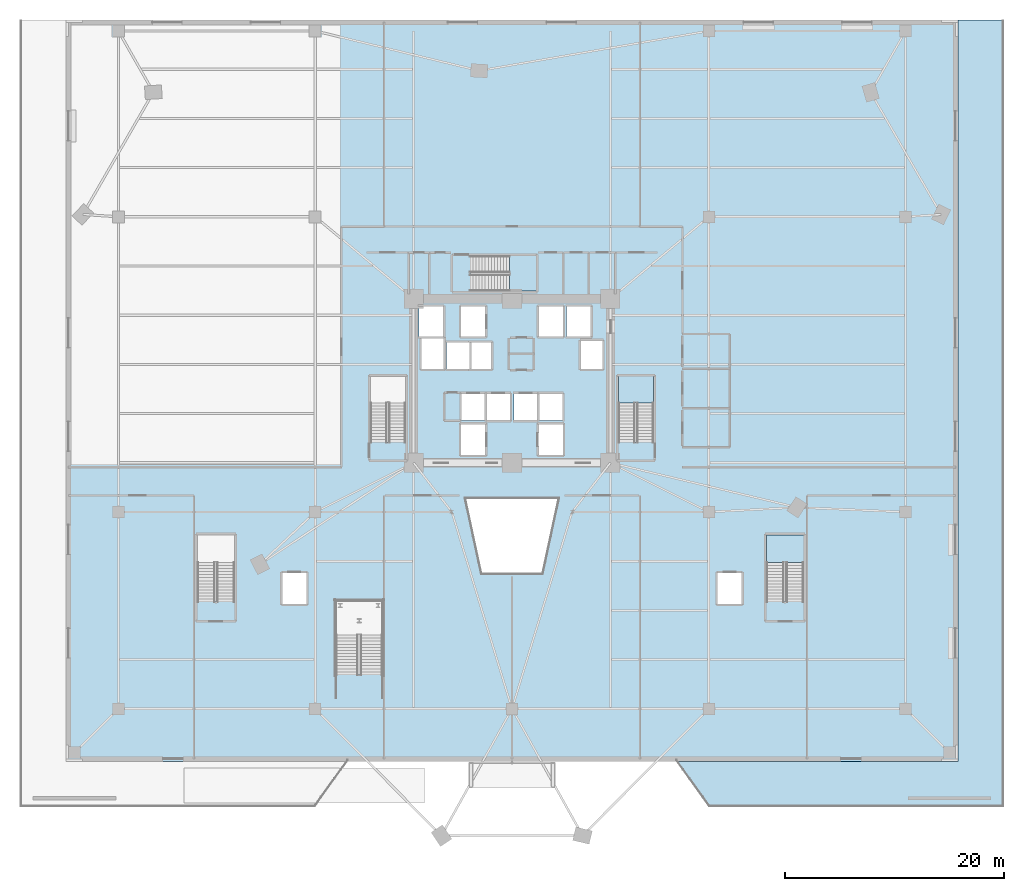
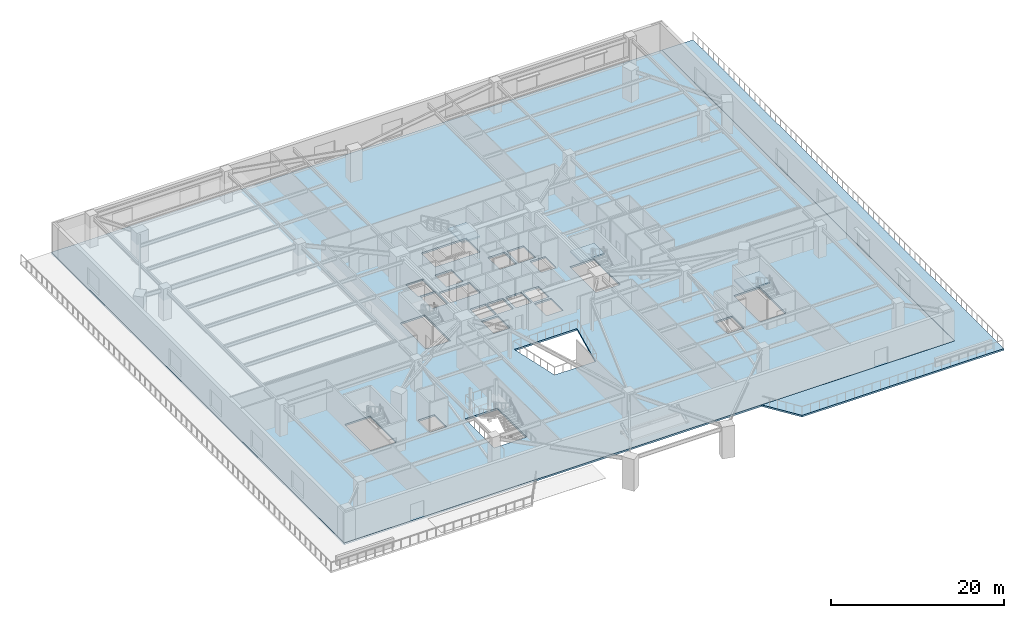
# One storey, part 5 of 19: 5 slabs, 3 elements without a shape of their own.
"""IFC4 building model written with IfcOpenShell, lengths in metres."""

import ifcopenshell
import ifcopenshell.guid

model = None  # the IFC model being written
_history = None  # IfcOwnerHistory: only IFC2X3 demands one
_inside = {}  # id of a spatial element -> (the spatial element, [elements in it])
_under = {}  # id of a project, library or spatial element -> (it, [spatial elements below it])
_declared = {}  # id of a project -> (the project, [libraries it declares])
_typed = {}  # id of a type object -> (the type object, [elements of that type])
_made_of = {}  # id of a material, layer set ... -> (it, [elements and type objects made of it])


def new_model(schema):
    """Start an empty IFC model of exactly this schema.

    Asked for "IFC4X3", IfcOpenShell would pick the latest addendum, in which some entities
    have other attributes; the version numbers below select the first issue.
    IFC2X3 requires an IfcOwnerHistory on every rooted entity: one is made here for all.
    """
    global model, _history
    if schema == "IFC4X3":
        model = ifcopenshell.file(schema_version=(4, 3, 0, 0))
    else:
        model = ifcopenshell.file(schema=schema)
    _inside.clear()
    _under.clear()
    _declared.clear()
    _typed.clear()
    _made_of.clear()
    _history = None
    if model.schema == "IFC2X3":
        org = make("IfcOrganization", Name="unknown")
        user = make(
            "IfcPersonAndOrganization",
            ThePerson=make("IfcPerson", FamilyName="unknown"),
            TheOrganization=org,
        )
        app = make(
            "IfcApplication",
            ApplicationDeveloper=org,
            Version="unknown",
            ApplicationFullName="unknown",
            ApplicationIdentifier="unknown",
        )
        _history = make(
            "IfcOwnerHistory",
            OwningUser=user,
            OwningApplication=app,
            ChangeAction="ADDED",
            CreationDate=0,
        )
    return model


def make(cls, **values):
    """One entity of the class cls with the attributes given. An attribute that is None is left unset."""
    return model.create_entity(
        cls, **{name: value for name, value in values.items() if value is not None}
    )


def rooted(cls, **values):
    """An entity with a GlobalId (a new one), such as an element, a storey or a relation."""
    return make(cls, GlobalId=ifcopenshell.guid.new(), OwnerHistory=_history, **values)


def si_unit(unit_type, name, prefix=None):
    """IfcSIUnit, for example si_unit("LENGTHUNIT", "METRE", prefix="MILLI")."""
    return make("IfcSIUnit", UnitType=unit_type, Prefix=prefix, Name=name)


def assignment(units):
    """IfcUnitAssignment: the units of a project."""
    return None if units is None else make("IfcUnitAssignment", Units=units)


def point(xyz):
    """IfcCartesianPoint."""
    return None if xyz is None else make("IfcCartesianPoint", Coordinates=xyz)


def direction(xyz):
    """IfcDirection."""
    return None if xyz is None else make("IfcDirection", DirectionRatios=xyz)


def frame(location, z_axis=None, x_axis=None):
    """IfcAxis2Placement3D, a coordinate frame: its origin and axes. An axis left out is left unset."""
    return make(
        "IfcAxis2Placement3D",
        Location=point(location),
        Axis=direction(z_axis),
        RefDirection=direction(x_axis),
    )


def origin():
    """The frame at (0, 0, 0) with its axes left unset."""
    return frame((0.0, 0.0, 0.0))


def place(relative_to, where):
    """IfcLocalPlacement: puts the frame where relative to a parent placement (None: the world)."""
    return make(
        "IfcLocalPlacement", PlacementRelTo=relative_to, RelativePlacement=where
    )


def context(
    kind, dimensions, precision=None, world=None, true_north=None, identifier=None
):
    """IfcGeometricRepresentationContext, for example the 3D "Model" context."""
    return make(
        "IfcGeometricRepresentationContext",
        ContextIdentifier=identifier,
        ContextType=kind,
        CoordinateSpaceDimension=dimensions,
        Precision=precision,
        WorldCoordinateSystem=world,
        TrueNorth=true_north,
    )


def subcontext(parent, identifier, kind, view, scale=None):
    """IfcGeometricRepresentationSubContext, for example "Body" below "Model"."""
    return make(
        "IfcGeometricRepresentationSubContext",
        ContextIdentifier=identifier,
        ContextType=kind,
        ParentContext=parent,
        TargetScale=scale,
        TargetView=view,
    )


def project(units=None, contexts=None):
    """IfcProject with its units and contexts."""
    return rooted(
        "IfcProject",
        Name="project",
        RepresentationContexts=contexts,
        UnitsInContext=assignment(units),
    )


def spatial(cls, under=None, at=None, **own):
    """A site, building, storey or space (cls), placed at a placement, below another one or the project."""
    s = rooted(cls, ObjectPlacement=at, **own)
    if under is not None:
        _under.setdefault(under.id(), (under, []))[1].append(s)
    return s


def polyline(points):
    """IfcPolyline through the points."""
    return make("IfcPolyline", Points=[point(p) for p in points])


def outline(outer, holes=None, kind="AREA"):
    """IfcArbitraryClosedProfileDef: a profile drawn as a closed curve; with holes, ...WithVoids."""
    if holes is None:
        return make("IfcArbitraryClosedProfileDef", ProfileType=kind, OuterCurve=outer)
    return make(
        "IfcArbitraryProfileDefWithVoids",
        ProfileType=kind,
        OuterCurve=outer,
        InnerCurves=holes,
    )


def extrude(swept, where, along, depth):
    """IfcExtrudedAreaSolid: the profile swept, set in the frame where, extruded along a direction by depth."""
    return make(
        "IfcExtrudedAreaSolid",
        SweptArea=swept,
        Position=where,
        ExtrudedDirection=direction(along),
        Depth=depth,
    )


def shape(context_of_items, identifier, shape_type, items):
    """IfcShapeRepresentation: the items that make up one representation, for example the "Body"."""
    return make(
        "IfcShapeRepresentation",
        ContextOfItems=context_of_items,
        RepresentationIdentifier=identifier,
        RepresentationType=shape_type,
        Items=items,
    )


def material(Name=None, Category=None):
    """IfcMaterial."""
    return make("IfcMaterial", Name=Name, Category=Category)


def layer(
    of_material, thickness, ventilated=None, Name=None, Category=None, Priority=None
):
    """IfcMaterialLayer: one layer of a wall or slab, of a material (None: an air gap)."""
    return make(
        "IfcMaterialLayer",
        Material=of_material,
        LayerThickness=thickness,
        IsVentilated=ventilated,
        Name=Name,
        Category=Category,
        Priority=Priority,
    )


def layer_set(layers, Name=None):
    """IfcMaterialLayerSet."""
    return make("IfcMaterialLayerSet", MaterialLayers=layers, LayerSetName=Name)


def made_of(thing, what):
    """Note that an element or type object is made of a material, layer set ...; save() writes the relation."""
    if what is not None:
        _made_of.setdefault(what.id(), (what, []))[1].append(thing)
    return thing


def type_object(cls, material=None, **own):
    """A type object (cls), such as IfcWallType, which elements share."""
    return made_of(rooted(cls, **own), material)


def element(
    cls,
    number,
    at=None,
    inside=None,
    cuts=None,
    type_object=None,
    material=None,
    context=None,
    identifier="Body",
    shape_type=None,
    held_by="IfcProductDefinitionShape",
    body=None,
    shapes=None,
    **own,
):
    """One element of the class cls, such as IfcWall. Its Tag is "e" and its number.

    at: its placement. inside: the storey or other place that contains it. cuts: it is an
    opening in that element (IfcRelVoidsElement). A single representation is given by context,
    identifier, shape_type and body (its items); several are given by shapes. held_by: the class
    of the entity that holds the representations. save() writes the other relations.
    """
    e = rooted(cls, Tag="e%d" % number, ObjectPlacement=at, **own)
    if body is not None:
        shapes = [shape(context, identifier, shape_type, body)]
    if shapes is not None:
        e.Representation = make(held_by, Representations=shapes)
    if inside is not None:
        _inside.setdefault(inside.id(), (inside, []))[1].append(e)
    if cuts is not None:
        rooted(
            "IfcRelVoidsElement", RelatingBuildingElement=cuts, RelatedOpeningElement=e
        )
    if type_object is not None:
        _typed.setdefault(type_object.id(), (type_object, []))[1].append(e)
    return made_of(e, material)


def aggregate(whole, parts):
    """IfcRelAggregates: a whole, such as a stair, and the parts it consists of."""
    return rooted("IfcRelAggregates", RelatingObject=whole, RelatedObjects=parts)


def save(model, path):
    """Write the relations noted so far, then the file.

    IfcRelAggregates (storeys below a building ...), IfcRelContainedInSpatialStructure (elements
    in a storey), IfcRelDefinesByType, IfcRelAssociatesMaterial and IfcRelDeclares: one each for
    every whole, place, type object, material and project.
    """
    for whole, parts in _under.values():
        aggregate(whole, parts)
    for where, things in _inside.values():
        rooted(
            "IfcRelContainedInSpatialStructure",
            RelatedElements=things,
            RelatingStructure=where,
        )
    for kind, things in _typed.values():
        rooted("IfcRelDefinesByType", RelatedObjects=things, RelatingType=kind)
    for what, things in _made_of.values():
        rooted("IfcRelAssociatesMaterial", RelatedObjects=things, RelatingMaterial=what)
    for by, libraries in _declared.values():
        rooted("IfcRelDeclares", RelatingContext=by, RelatedDefinitions=libraries)
    model.write(path)


model = new_model("IFC4")

# Units and contexts
model_context = context("Model", 3, precision=1e-05, world=origin(), true_north=direction((0.0, 1.0)))
body_context = subcontext(model_context, "Body", "Model", "MODEL_VIEW")
ifc_project = project(units=[si_unit("LENGTHUNIT", "METRE"), si_unit("AREAUNIT", "SQUARE_METRE"), si_unit("VOLUMEUNIT", "CUBIC_METRE"), si_unit("PLANEANGLEUNIT", "RADIAN"), si_unit("MASSUNIT", "GRAM", prefix="KILO")], contexts=[model_context])

# Site, building, storey
site_placement = place(None, origin())
site = spatial("IfcSite", under=ifc_project, at=site_placement, CompositionType="ELEMENT")
building_placement = place(site_placement, origin())
building = spatial("IfcBuilding", under=site, at=building_placement, Name="Liaohun Quay Tower", CompositionType="ELEMENT")
storey_placement = place(building_placement, frame((0.0, 0.0, 9.89990234375)))
storey = spatial("IfcBuildingStorey", under=building, at=storey_placement, Name="L03", CompositionType="ELEMENT", Elevation=9.89990234375)

# Stair, slab
ifc_material_1 = material(Name="Concrete C45", Category="concrete")
stair_type_1 = type_object("IfcStairType", Name="STR-CORE-TALL", PredefinedType="HALF_TURN_STAIR", material=ifc_material_1)
stair_1_placement = place(storey_placement, origin())
stair_1 = element("IfcStair", 1, at=stair_1_placement, inside=storey, type_object=stair_type_1, Name="L03 Smokeproof Core Exit Stair ST-2", PredefinedType="HALF_TURN_STAIR")
ifc_layer_1 = layer(ifc_material_1, 0.199951171875, Name="Concrete C45", Category="concrete")
ifc_layer_set_1 = layer_set([ifc_layer_1], Name="Concrete C45")
slab_type_1 = type_object("IfcSlabType", Name="SLB-LND-200", PredefinedType="LANDING", material=ifc_layer_set_1)
slab_1_placement = place(storey_placement, frame((0.0, 0.0, 2.050048828125)))
slab_1 = element("IfcSlab", 2, at=slab_1_placement, type_object=slab_type_1, Name="ST-2 landing 1", PredefinedType="LANDING", context=body_context, shape_type="SweptSolid", body=[
    extrude(outline(polyline([(72.9599609375, 51.989990234375), (72.9599609375, 54.419921875), (69.719970703125, 54.419921875), (69.719970703125, 51.989990234375), (72.9599609375, 51.989990234375)])), origin(), (0.0, 0.0, 1.0), 0.199951171875),
])
aggregate(stair_1, [slab_1])

stair_2_placement = place(storey_placement, origin())
stair_2 = element("IfcStair", 3, at=stair_2_placement, inside=storey, type_object=stair_type_1, Name="L03 Smokeproof Core Exit Stair ST-3", PredefinedType="HALF_TURN_STAIR")
slab_2_placement = place(storey_placement, frame((0.0, 0.0, 2.050048828125)))
slab_2 = element("IfcSlab", 4, at=slab_2_placement, type_object=slab_type_1, Name="ST-3 landing 1", PredefinedType="LANDING", context=body_context, shape_type="SweptSolid", body=[
    extrude(outline(polyline([(59.7900390625, 62.199951171875), (62.219970703125, 62.199951171875), (62.219970703125, 65.43994140625), (59.7900390625, 65.43994140625), (59.7900390625, 62.199951171875)])), origin(), (0.0, 0.0, 1.0), 0.199951171875),
])
aggregate(stair_2, [slab_2])

stair_type_2 = type_object("IfcStairType", Name="STR-POD-EXIT", PredefinedType="TWO_STRAIGHT_RUN_STAIR", material=ifc_material_1)
stair_3_placement = place(storey_placement, origin())
stair_3 = element("IfcStair", 5, at=stair_3_placement, inside=storey, type_object=stair_type_2, Name="L03 Podium Smokeproof Exit Stair ST-P2", PredefinedType="TWO_STRAIGHT_RUN_STAIR")
slab_3_placement = place(storey_placement, frame((0.0, 0.0, 2.050048828125)))
slab_3 = element("IfcSlab", 6, at=slab_3_placement, type_object=slab_type_1, Name="ST-P2 landing 1", PredefinedType="LANDING", context=body_context, shape_type="SweptSolid", body=[
    extrude(outline(polyline([(86.699951171875, 37.389892578125), (86.699951171875, 39.89990234375), (83.260009765625, 39.89990234375), (83.260009765625, 37.389892578125), (86.699951171875, 37.389892578125)])), origin(), (0.0, 0.0, 1.0), 0.199951171875),
])
aggregate(stair_3, [slab_3])

# Slabs
ifc_layer_2 = layer(ifc_material_1, 0.25, Name="Concrete C45", Category="concrete")
ifc_layer_set_2 = layer_set([ifc_layer_2], Name="Concrete C45")
slab_type_2 = type_object("IfcSlabType", Name="SLB-POD-250", PredefinedType="FLOOR", material=ifc_layer_set_2)
slab_4_placement = place(storey_placement, frame((0.0, 0.0, -0.25)))
element("IfcSlab", 7, at=slab_4_placement, inside=storey, type_object=slab_type_2, Name="L03 Structural Floor Slab", PredefinedType="FLOOR", context=body_context, shape_type="SweptSolid", body=[
    extrude(outline(polyline([(19.199951171875, 19.199951171875), (100.800048828125, 19.199951171875), (100.800048828125, 87.0), (19.199951171875, 87.0), (19.199951171875, 19.199951171875)]), holes=[polyline([(48.199951171875, 33.89990234375), (43.860107421875, 33.89990234375), (43.860107421875, 27.159912109375), (48.199951171875, 27.159912109375), (48.199951171875, 33.89990234375)]), polyline([(41.2099609375, 33.590087890625), (41.2099609375, 36.409912109375), (38.989990234375, 36.409912109375), (38.989990234375, 33.590087890625), (41.2099609375, 33.590087890625)]), polyline([(34.639892578125, 39.89990234375), (31.199951171875, 39.89990234375), (31.199951171875, 33.81005859375), (34.639892578125, 33.81005859375), (34.639892578125, 39.89990234375)]), polyline([(55.340087890625, 47.2099609375), (57.56005859375, 47.2099609375), (57.56005859375, 50.030029296875), (55.340087890625, 50.030029296875), (55.340087890625, 47.2099609375)]), polyline([(50.280029296875, 48.409912109375), (50.280029296875, 54.419921875), (47.0400390625, 54.419921875), (47.0400390625, 48.409912109375), (50.280029296875, 48.409912109375)]), polyline([(57.510009765625, 50.389892578125), (57.510009765625, 52.81005859375), (55.389892578125, 52.81005859375), (55.389892578125, 50.389892578125), (57.510009765625, 50.389892578125)]), polyline([(57.68994140625, 50.389892578125), (59.81005859375, 50.389892578125), (59.81005859375, 52.81005859375), (57.68994140625, 52.81005859375), (57.68994140625, 50.389892578125)]), polyline([(53.989990234375, 55.090087890625), (58.110107421875, 55.090087890625), (58.110107421875, 57.510009765625), (53.989990234375, 57.510009765625), (53.989990234375, 55.090087890625)]), polyline([(51.7099609375, 55.090087890625), (53.760009765625, 55.090087890625), (53.760009765625, 57.909912109375), (51.7099609375, 57.909912109375), (51.7099609375, 55.090087890625)]), polyline([(51.489990234375, 58.0400390625), (53.7099609375, 58.0400390625), (53.7099609375, 60.7900390625), (51.489990234375, 60.7900390625), (51.489990234375, 58.0400390625)]), polyline([(57.56005859375, 58.0400390625), (57.56005859375, 60.7900390625), (55.340087890625, 60.7900390625), (55.340087890625, 58.0400390625), (57.56005859375, 58.0400390625)]), polyline([(78.7900390625, 33.590087890625), (81.010009765625, 33.590087890625), (81.010009765625, 36.409912109375), (78.7900390625, 36.409912109375), (78.7900390625, 33.590087890625)]), polyline([(86.699951171875, 33.81005859375), (86.699951171875, 39.89990234375), (83.260009765625, 39.89990234375), (83.260009765625, 33.81005859375), (86.699951171875, 33.81005859375)]), polyline([(62.72998046875, 36.39990234375), (64.199951171875, 43.199951171875), (55.800048828125, 43.199951171875), (57.27001953125, 36.39990234375), (62.72998046875, 36.39990234375)]), polyline([(62.43994140625, 47.2099609375), (64.659912109375, 47.2099609375), (64.659912109375, 50.030029296875), (62.43994140625, 50.030029296875), (62.43994140625, 47.2099609375)]), polyline([(72.9599609375, 48.409912109375), (72.9599609375, 54.419921875), (69.719970703125, 54.419921875), (69.719970703125, 48.409912109375), (72.9599609375, 48.409912109375)]), polyline([(62.31005859375, 50.389892578125), (62.31005859375, 52.81005859375), (60.18994140625, 52.81005859375), (60.18994140625, 50.389892578125), (62.31005859375, 50.389892578125)]), polyline([(62.489990234375, 50.389892578125), (64.610107421875, 50.389892578125), (64.610107421875, 52.81005859375), (62.489990234375, 52.81005859375), (62.489990234375, 50.389892578125)]), polyline([(66.2900390625, 55.090087890625), (68.2900390625, 55.090087890625), (68.2900390625, 57.659912109375), (66.2900390625, 57.659912109375), (66.2900390625, 55.090087890625)]), polyline([(64.659912109375, 58.0400390625), (64.659912109375, 60.7900390625), (62.43994140625, 60.7900390625), (62.43994140625, 58.0400390625), (64.659912109375, 58.0400390625)]), polyline([(64.989990234375, 58.0400390625), (67.2099609375, 58.0400390625), (67.2099609375, 60.7900390625), (64.989990234375, 60.7900390625), (64.989990234375, 58.0400390625)]), polyline([(56.2099609375, 62.199951171875), (62.219970703125, 62.199951171875), (62.219970703125, 65.43994140625), (56.2099609375, 65.43994140625), (56.2099609375, 62.199951171875)])]), origin(), (0.0, 0.0, 1.0), 0.25),
])
ifc_material_2 = material(Name="Concrete C50", Category="concrete")
ifc_layer_3 = layer(ifc_material_2, 0.239990234375, Name="Concrete C50", Category="concrete")
ifc_layer_set_3 = layer_set([ifc_layer_3], Name="Concrete C50")
slab_type_3 = type_object("IfcSlabType", Name="SLB-TER-240", PredefinedType="ROOF", material=ifc_layer_set_3)
slab_5_placement = place(storey_placement, frame((0.0, 0.0, -0.239990234375)))
element("IfcSlab", 8, at=slab_5_placement, inside=storey, type_object=slab_type_3, Name="L03 Waterfront Stepped Terrace Slab East", PredefinedType="ROOF", context=body_context, shape_type="SweptSolid", body=[
    extrude(outline(polyline([(100.81005859375, 87.0), (100.81005859375, 19.18994140625), (75.007080078125, 19.18994140625), (78.0, 15.0), (105.0, 15.0), (105.0, 87.0), (100.81005859375, 87.0)])), origin(), (0.0, 0.0, 1.0), 0.239990234375),
])

save(model, "model.ifc")
